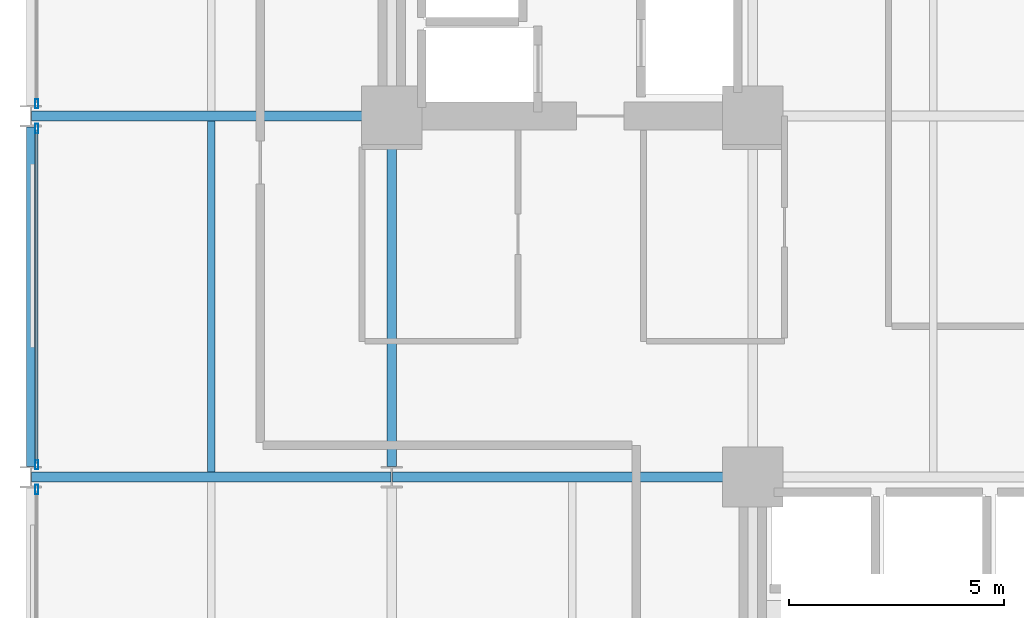
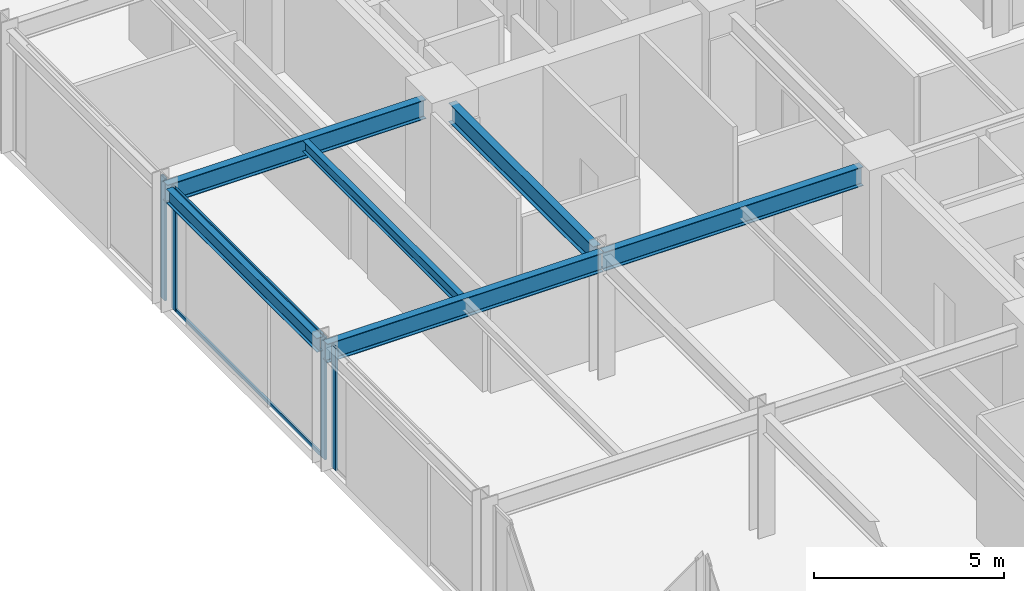
# One storey, part 6 of 24: 6 beams, 6 members, 3 elements without a shape of their own.
"""IFC4 building model written with IfcOpenShell, lengths in metres."""

from ifc_helpers import new_model, si_unit, direction, frame, origin, origin_2d, place, context, subcontext, project, spatial, hollow_rectangle, i_section, extrude, material, layer, layer_set, material_profile, profile_set, type_object, element, aggregate, save


model = new_model("IFC4")

# Units and contexts
model_context = context("Model", 3, precision=1e-05, world=origin(), true_north=direction((0.0, 1.0)))
body_context = subcontext(model_context, "Body", "Model", "MODEL_VIEW")
ifc_project = project(units=[si_unit("LENGTHUNIT", "METRE"), si_unit("AREAUNIT", "SQUARE_METRE"), si_unit("VOLUMEUNIT", "CUBIC_METRE"), si_unit("PLANEANGLEUNIT", "RADIAN"), si_unit("MASSUNIT", "GRAM", prefix="KILO")], contexts=[model_context])

# Site, building, storey
site_placement = place(None, origin())
site = spatial("IfcSite", under=ifc_project, at=site_placement, CompositionType="ELEMENT")
building_placement = place(site_placement, origin())
building = spatial("IfcBuilding", under=site, at=building_placement, Name="Nerrivon Quay Data Exchange", CompositionType="ELEMENT")
storey_placement = place(building_placement, frame((0.0, 0.0, 50.0)))
storey = spatial("IfcBuildingStorey", under=building, at=storey_placement, Name="L11", CompositionType="ELEMENT", Elevation=50.0)

# Beams
ifc_material_1 = material(Name="Steel Grade 350", Category="steel")
ifc_material_profile_1 = material_profile(ifc_material_1, i_section(OverallWidth=0.22900390625, OverallDepth=0.612060546875, WebThickness=0.011962890625, FlangeThickness=0.01953125, FilletRadius=0.013916015625, at=origin_2d()), Name="610UB125")
ifc_profile_set_1 = profile_set([ifc_material_profile_1], Name="Steel Grade 350")
beam_type_1 = type_object("IfcBeamType", Name="BM-G1-610UB125", PredefinedType="BEAM", material=ifc_profile_set_1)
beam_1_placement = place(storey_placement, frame((0.013916015625, 16.800048828125, 3.618896484375), z_axis=(1.0, 0.0, 0.0), x_axis=(0.0, 1.0, 0.0)))
element("IfcBeam", 1, at=beam_1_placement, inside=storey, type_object=beam_type_1, Name="L11 EW Girder Y=16.8 (0.0..8.4)", PredefinedType="BEAM", context=body_context, shape_type="SweptSolid", body=[
    extrude(i_section(OverallWidth=0.22900390625, OverallDepth=0.612060546875, WebThickness=0.011962890625, FlangeThickness=0.01953125, FilletRadius=0.013916015625, at=origin_2d()), origin(), (0.0, 0.0, 1.0), 8.3720703125),
])
beam_2_placement = place(storey_placement, frame((8.4140625, 16.800048828125, 3.618896484375), z_axis=(1.0, 0.0, 0.0), x_axis=(0.0, 1.0, 0.0)))
element("IfcBeam", 2, at=beam_2_placement, inside=storey, type_object=beam_type_1, Name="L11 EW Girder Y=16.8 (8.4..16.8)", PredefinedType="BEAM", context=body_context, shape_type="SweptSolid", body=[
    extrude(i_section(OverallWidth=0.22900390625, OverallDepth=0.612060546875, WebThickness=0.011962890625, FlangeThickness=0.01953125, FilletRadius=0.013916015625, at=origin_2d()), origin(), (0.0, 0.0, 1.0), 7.845947265625),
])
beam_3_placement = place(storey_placement, frame((0.013916015625, 25.199951171875, 3.618896484375), z_axis=(1.0, 0.0, 0.0), x_axis=(0.0, 1.0, 0.0)))
element("IfcBeam", 3, at=beam_3_placement, inside=storey, type_object=beam_type_1, Name="L11 EW Girder Y=25.2 (0.0..8.4)", PredefinedType="BEAM", context=body_context, shape_type="SweptSolid", body=[
    extrude(i_section(OverallWidth=0.22900390625, OverallDepth=0.612060546875, WebThickness=0.011962890625, FlangeThickness=0.01953125, FilletRadius=0.013916015625, at=origin_2d()), origin(), (0.0, 0.0, 1.0), 7.84619140625),
])
ifc_material_profile_2 = material_profile(ifc_material_1, i_section(OverallWidth=0.22802734375, OverallDepth=0.60205078125, WebThickness=0.010498046875, FlangeThickness=0.014892578125, FilletRadius=0.013916015625, at=origin_2d()), Name="610UB101")
ifc_profile_set_2 = profile_set([ifc_material_profile_2], Name="Steel Grade 350")
beam_type_2 = type_object("IfcBeamType", Name="BM-G2-610UB101", PredefinedType="BEAM", material=ifc_profile_set_2)
beam_4_placement = place(storey_placement, frame((8.39990234375, 17.050048828125, 3.6240234375), z_axis=(0.0, 1.0, 0.0), x_axis=(-1.0, 0.0, 0.0)))
element("IfcBeam", 4, at=beam_4_placement, inside=storey, type_object=beam_type_2, Name="L11 NS Girder X=8.4 (16.8..25.2)", PredefinedType="BEAM", context=body_context, shape_type="SweptSolid", body=[
    extrude(i_section(OverallWidth=0.22802734375, OverallDepth=0.60205078125, WebThickness=0.010498046875, FlangeThickness=0.014892578125, FilletRadius=0.013916015625, at=origin_2d()), origin(), (0.0, 0.0, 1.0), 7.60986328125),
])
ifc_material_profile_3 = material_profile(ifc_material_1, i_section(OverallWidth=0.172119140625, OverallDepth=0.35888671875, WebThickness=0.008056640625, FlangeThickness=0.012939453125, FilletRadius=0.011474609375, at=origin_2d()), Name="360UB56.7")
ifc_profile_set_3 = profile_set([ifc_material_profile_3], Name="Steel Grade 350")
beam_type_3 = type_object("IfcBeamType", Name="BM-J3-360UB57", PredefinedType="JOIST", material=ifc_profile_set_3)
beam_5_placement = place(storey_placement, frame((4.199951171875, 16.91455078125, 3.74560546875), z_axis=(0.0, 1.0, 0.0), x_axis=(-1.0, 0.0, 0.0)))
element("IfcBeam", 5, at=beam_5_placement, inside=storey, type_object=beam_type_3, Name="L11 Secondary Joist X=4.2 (16.8..25.2)", PredefinedType="JOIST", context=body_context, shape_type="SweptSolid", body=[
    extrude(i_section(OverallWidth=0.172119140625, OverallDepth=0.35888671875, WebThickness=0.008056640625, FlangeThickness=0.012939453125, FilletRadius=0.011474609375, at=origin_2d()), origin(), (0.0, 0.0, 1.0), 8.1708984375),
])
ifc_material_profile_4 = material_profile(ifc_material_1, i_section(OverallWidth=0.18994140625, OverallDepth=0.4541015625, WebThickness=0.008544921875, FlangeThickness=0.0126953125, FilletRadius=0.011474609375, at=origin_2d()), Name="460UB67.1")
ifc_profile_set_4 = profile_set([ifc_material_profile_4], Name="Steel Grade 350")
beam_type_4 = type_object("IfcBeamType", Name="BM-SP1-460UB67", PredefinedType="SPANDREL", material=ifc_profile_set_4)
beam_6_placement = place(storey_placement, frame((0.0, 17.050048828125, 3.697998046875), z_axis=(0.0, 1.0, 0.0), x_axis=(-1.0, 0.0, 0.0)))
element("IfcBeam", 6, at=beam_6_placement, inside=storey, type_object=beam_type_4, Name="L11 NS Girder X=0.0 (16.8..25.2)", PredefinedType="SPANDREL", context=body_context, shape_type="SweptSolid", body=[
    extrude(i_section(OverallWidth=0.18994140625, OverallDepth=0.4541015625, WebThickness=0.008544921875, FlangeThickness=0.0126953125, FilletRadius=0.011474609375, at=origin_2d()), origin(), (0.0, 0.0, 1.0), 7.89990234375),
])

# Curtain wall, member
ifc_material_2 = material(Name="Anodised aluminium 6063-T6", Category="aluminium")
ifc_layer = layer(ifc_material_2, 0.219970703125)
ifc_layer_set = layer_set([ifc_layer], Name="Anodised aluminium 6063-T6")
curtain_wall_type = type_object("IfcCurtainWallType", Name="CW-SYS-01", PredefinedType="NOTDEFINED", material=ifc_layer_set)
curtain_wall_1_placement = place(storey_placement, origin())
curtain_wall_1 = element("IfcCurtainWall", 7, at=curtain_wall_1_placement, inside=storey, type_object=curtain_wall_type, Name="L11 Unitised Curtain Wall 14", PredefinedType="NOTDEFINED")
ifc_material_profile_5 = material_profile(ifc_material_2, hollow_rectangle(XDim=0.074951171875, YDim=0.219970703125, WallThickness=0.00390625, at=origin_2d()), Name="ALU-MULL-220x75")
ifc_profile_set_5 = profile_set([ifc_material_profile_5], Name="Anodised aluminium 6063-T6")
member_type_1 = type_object("IfcMemberType", Name="CWM-220x75", PredefinedType="MULLION", material=ifc_profile_set_5)
member_1_placement = place(storey_placement, frame((0.139892578125, 16.512451171875, 0.0), z_axis=(0.0, 0.0, 1.0), x_axis=(-1.0, 0.0, 0.0)))
member_1 = element("IfcMember", 8, at=member_1_placement, type_object=member_type_1, Name="CW01 mullion 2", PredefinedType="MULLION", context=body_context, shape_type="SweptSolid", body=[
    extrude(hollow_rectangle(XDim=0.074951171875, YDim=0.219970703125, WallThickness=0.00390625, at=origin_2d()), origin(), (0.0, 0.0, 1.0), 3.925048828125),
])
aggregate(curtain_wall_1, [member_1])

# Curtain wall, members
curtain_wall_2_placement = place(storey_placement, origin())
curtain_wall_2 = element("IfcCurtainWall", 9, at=curtain_wall_2_placement, inside=storey, type_object=curtain_wall_type, Name="L11 Unitised Curtain Wall 15", PredefinedType="NOTDEFINED")
member_2_placement = place(storey_placement, frame((0.139892578125, 17.08740234375, 0.0), z_axis=(0.0, 0.0, 1.0), x_axis=(-1.0, 0.0, 0.0)))
member_2 = element("IfcMember", 10, at=member_2_placement, type_object=member_type_1, Name="CW01 mullion 1", PredefinedType="MULLION", context=body_context, shape_type="SweptSolid", body=[
    extrude(hollow_rectangle(XDim=0.074951171875, YDim=0.219970703125, WallThickness=0.00390625, at=origin_2d()), origin(), (0.0, 0.0, 1.0), 3.925048828125),
])
member_3_placement = place(storey_placement, frame((0.139892578125, 24.91259765625, 0.0), z_axis=(0.0, 0.0, 1.0), x_axis=(-1.0, 0.0, 0.0)))
member_3 = element("IfcMember", 11, at=member_3_placement, type_object=member_type_1, Name="CW01 mullion 2", PredefinedType="MULLION", context=body_context, shape_type="SweptSolid", body=[
    extrude(hollow_rectangle(XDim=0.074951171875, YDim=0.219970703125, WallThickness=0.00390625, at=origin_2d()), origin(), (0.0, 0.0, 1.0), 3.925048828125),
])

# Curtain wall, member
curtain_wall_3_placement = place(storey_placement, origin())
curtain_wall_3 = element("IfcCurtainWall", 12, at=curtain_wall_3_placement, inside=storey, type_object=curtain_wall_type, Name="L11 Unitised Curtain Wall 16", PredefinedType="NOTDEFINED")
member_4_placement = place(storey_placement, frame((0.139892578125, 25.487548828125, 0.0), z_axis=(0.0, 0.0, 1.0), x_axis=(-1.0, 0.0, 0.0)))
member_4 = element("IfcMember", 13, at=member_4_placement, type_object=member_type_1, Name="CW01 mullion 1", PredefinedType="MULLION", context=body_context, shape_type="SweptSolid", body=[
    extrude(hollow_rectangle(XDim=0.074951171875, YDim=0.219970703125, WallThickness=0.00390625, at=origin_2d()), origin(), (0.0, 0.0, 1.0), 3.925048828125),
])
aggregate(curtain_wall_3, [member_4])

# Member
ifc_material_profile_6 = material_profile(ifc_material_2, hollow_rectangle(XDim=0.06005859375, YDim=0.1201171875, WallThickness=0.003173828125, at=origin_2d()), Name="ALU-TRAN-120x60")
ifc_profile_set_6 = profile_set([ifc_material_profile_6], Name="Anodised aluminium 6063-T6")
member_type_2 = type_object("IfcMemberType", Name="CWT-120x60", PredefinedType="USERDEFINED", material=ifc_profile_set_6)
member_5_placement = place(storey_placement, frame((0.139892578125, 17.125, 0.032470703125), z_axis=(0.0, 1.0, 0.0), x_axis=(-1.0, 0.0, 0.0)))
member_5 = element("IfcMember", 14, at=member_5_placement, type_object=member_type_2, Name="CW01 transom 1.1", ObjectType="TRANSOM", PredefinedType="USERDEFINED", context=body_context, shape_type="SweptSolid", body=[
    extrude(hollow_rectangle(XDim=0.06005859375, YDim=0.1201171875, WallThickness=0.003173828125, at=origin_2d()), origin(), (0.0, 0.0, 1.0), 7.75),
])

member_6_placement = place(storey_placement, frame((0.139892578125, 17.125, 3.892578125), z_axis=(0.0, 1.0, 0.0), x_axis=(-1.0, 0.0, 0.0)))
member_6 = element("IfcMember", 15, at=member_6_placement, type_object=member_type_2, Name="CW01 transom 1.2", ObjectType="TRANSOM", PredefinedType="USERDEFINED", context=body_context, shape_type="SweptSolid", body=[
    extrude(hollow_rectangle(XDim=0.06005859375, YDim=0.1201171875, WallThickness=0.003173828125, at=origin_2d()), origin(), (0.0, 0.0, 1.0), 7.75),
])

aggregate(curtain_wall_2, [member_2, member_3, member_5, member_6])

save(model, "model.ifc")
